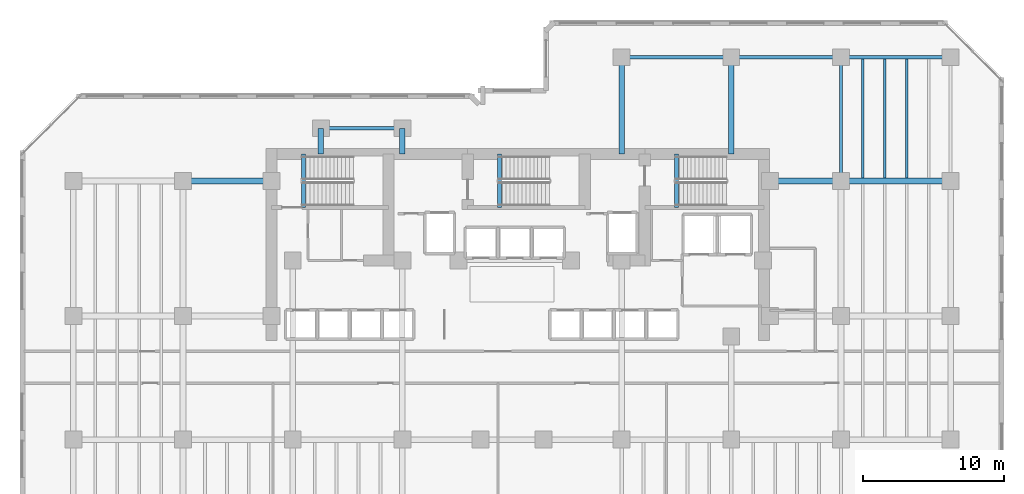
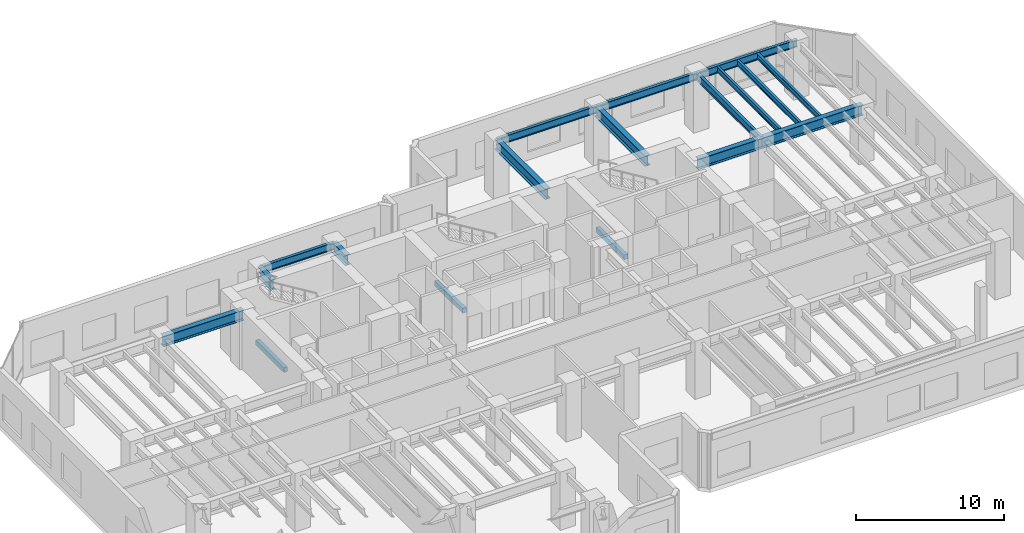
# One storey, part 5 of 17: 18 beams.
"""IFC4 building model written with IfcOpenShell, lengths in metres."""

from ifc_helpers import new_model, si_unit, direction, frame, origin, origin_2d, place, context, subcontext, project, spatial, rectangle, i_section, extrude, material, material_profile, profile_set, type_object, element, save


model = new_model("IFC4")

# Units and contexts
model_context = context("Model", 3, precision=1e-05, world=origin(), true_north=direction((0.0, 1.0)))
body_context = subcontext(model_context, "Body", "Model", "MODEL_VIEW")
ifc_project = project(units=[si_unit("LENGTHUNIT", "METRE"), si_unit("AREAUNIT", "SQUARE_METRE"), si_unit("VOLUMEUNIT", "CUBIC_METRE"), si_unit("PLANEANGLEUNIT", "RADIAN"), si_unit("MASSUNIT", "GRAM", prefix="KILO")], contexts=[model_context])

# Site, building, storey
site_placement = place(None, origin())
site = spatial("IfcSite", under=ifc_project, at=site_placement, CompositionType="ELEMENT")
building_placement = place(site_placement, origin())
building = spatial("IfcBuilding", under=site, at=building_placement, Name="Kestravale Grand Hotel", CompositionType="ELEMENT")
storey_placement = place(building_placement, frame((0.0, 0.0, 129.800048828125)))
storey = spatial("IfcBuildingStorey", under=building, at=storey_placement, Name="L32", CompositionType="ELEMENT", Elevation=129.800048828125)

# Beams
ifc_material_1 = material(Name="Steel ASTM A992 Grade 50", Category="steel")
ifc_material_profile_1 = material_profile(ifc_material_1, i_section(OverallWidth=0.19091796875, OverallDepth=0.45703125, WebThickness=0.009033203125, FlangeThickness=0.014404296875, FilletRadius=0.015380859375, at=origin_2d()))
ifc_profile_set_1 = profile_set([ifc_material_profile_1], Name="Steel ASTM A992 Grade 50")
beam_type_1 = type_object("IfcBeamType", Name="B-FLR-JST18", PredefinedType="JOIST", material=ifc_profile_set_1)
for number, where, z_axis, x_axis, name in (
    (1, (63.9599609375, 38.6005859375, 4.281494140625), (0.0, 1.0, 0.0), (-1.0, 0.0, 0.0), "L32 floor joist 10-11/F-G #1"),
    (2, (65.52001953125, 38.6005859375, 4.281494140625), (0.0, 1.0, 0.0), (-1.0, 0.0, 0.0), "L32 floor joist 10-11/F-G #2"),
    (3, (67.080078125, 38.6005859375, 4.281494140625), (0.0, 1.0, 0.0), (-1.0, 0.0, 0.0), "L32 floor joist 10-11/F-G #3"),
):
    element("IfcBeam", number, at=place(storey_placement, frame(where, z_axis=z_axis, x_axis=x_axis)), inside=storey, type_object=beam_type_1, Name=name, PredefinedType="JOIST", context=body_context, shape_type="SweptSolid", body=[
        extrude(i_section(OverallWidth=0.19091796875, OverallDepth=0.45703125, WebThickness=0.009033203125, FlangeThickness=0.014404296875, FilletRadius=0.015380859375, at=origin_2d()), origin(), (0.0, 0.0, 1.0), 8.48486328125),
    ])
ifc_material_2 = material(Name="Concrete f'c 45 MPa", Category="concrete")
ifc_material_profile_2 = material_profile(ifc_material_2, rectangle(XDim=0.300048828125, YDim=0.39990234375, at=origin_2d()))
ifc_profile_set_2 = profile_set([ifc_material_profile_2], Name="Concrete f'c 45 MPa")
beam_type_2 = type_object("IfcBeamType", Name="B-FLR-LNT400", PredefinedType="LINTEL", material=ifc_profile_set_2)
for number, where, z_axis, x_axis, name in (
    (4, (24.159912109375, 36.52001953125, -0.199951171875), (0.0, 1.0, 0.0), (-1.0, 0.0, 0.0), "L32 ST1 flight bottom header beam"),
    (5, (38.110107421875, 36.52001953125, -0.199951171875), (0.0, 1.0, 0.0), (-1.0, 0.0, 0.0), "L32 ST2 flight bottom header beam"),
    (6, (50.7099609375, 36.52001953125, -0.199951171875), (0.0, 1.0, 0.0), (-1.0, 0.0, 0.0), "L32 ST3 flight bottom header beam"),
):
    element("IfcBeam", number, at=place(storey_placement, frame(where, z_axis=z_axis, x_axis=x_axis)), inside=storey, type_object=beam_type_2, Name=name, PredefinedType="LINTEL", context=body_context, shape_type="SweptSolid", body=[
        extrude(rectangle(XDim=0.300048828125, YDim=0.39990234375, at=origin_2d()), origin(), (0.0, 0.0, 1.0), 3.800048828125),
    ])
ifc_material_3 = material(Name="Steel ASTM A992 Grade 50", Category="steel")
ifc_material_profile_3 = material_profile(ifc_material_3, i_section(OverallWidth=0.22900390625, OverallDepth=0.612060546875, WebThickness=0.011962890625, FlangeThickness=0.01953125, FilletRadius=0.019287109375, at=origin_2d()))
ifc_profile_set_3 = profile_set([ifc_material_profile_3], Name="Steel ASTM A992 Grade 50")
beam_type_3 = type_object("IfcBeamType", Name="B-FLR-W24B", PredefinedType="SPANDREL", material=ifc_profile_set_3)
beam_1_placement = place(storey_placement, frame((46.800048828125, 47.199951171875, 4.203857421875), z_axis=(1.0, 0.0, 0.0), x_axis=(0.0, 1.0, 0.0)))
element("IfcBeam", 7, at=beam_1_placement, inside=storey, type_object=beam_type_3, Name="L32 spandrel G:8-9", PredefinedType="SPANDREL", context=body_context, shape_type="SweptSolid", body=[
    extrude(i_section(OverallWidth=0.22900390625, OverallDepth=0.612060546875, WebThickness=0.011962890625, FlangeThickness=0.01953125, FilletRadius=0.019287109375, at=origin_2d()), origin(), (0.0, 0.0, 1.0), 7.800048828125),
])
beam_2_placement = place(storey_placement, frame((54.60009765625, 47.199951171875, 4.203857421875), z_axis=(1.0, 0.0, 0.0), x_axis=(0.0, 1.0, 0.0)))
element("IfcBeam", 8, at=beam_2_placement, inside=storey, type_object=beam_type_3, Name="L32 spandrel G:9-10", PredefinedType="SPANDREL", context=body_context, shape_type="SweptSolid", body=[
    extrude(i_section(OverallWidth=0.22900390625, OverallDepth=0.612060546875, WebThickness=0.011962890625, FlangeThickness=0.01953125, FilletRadius=0.019287109375, at=origin_2d()), origin(), (0.0, 0.0, 1.0), 7.7998046875),
])
beam_3_placement = place(storey_placement, frame((62.39990234375, 47.199951171875, 4.203857421875), z_axis=(1.0, 0.0, 0.0), x_axis=(0.0, 1.0, 0.0)))
element("IfcBeam", 9, at=beam_3_placement, inside=storey, type_object=beam_type_3, Name="L32 spandrel G:10-11", PredefinedType="SPANDREL", context=body_context, shape_type="SweptSolid", body=[
    extrude(i_section(OverallWidth=0.22900390625, OverallDepth=0.612060546875, WebThickness=0.011962890625, FlangeThickness=0.01953125, FilletRadius=0.019287109375, at=origin_2d()), origin(), (0.0, 0.0, 1.0), 7.800048828125),
])
beam_4_placement = place(storey_placement, frame((25.39990234375, 42.14990234375, 4.203857421875), z_axis=(1.0, 0.0, 0.0), x_axis=(0.0, 1.0, 0.0)))
element("IfcBeam", 10, at=beam_4_placement, inside=storey, type_object=beam_type_3, Name="L32 perimeter tie spandrel FN:4-5", PredefinedType="SPANDREL", context=body_context, shape_type="SweptSolid", body=[
    extrude(i_section(OverallWidth=0.22900390625, OverallDepth=0.612060546875, WebThickness=0.011962890625, FlangeThickness=0.01953125, FilletRadius=0.019287109375, at=origin_2d()), origin(), (0.0, 0.0, 1.0), 5.800048828125),
])
beam_5_placement = place(storey_placement, frame((62.39990234375, 38.39990234375, 4.203857421875), z_axis=(0.0, 1.0, 0.0), x_axis=(-1.0, 0.0, 0.0)))
element("IfcBeam", 11, at=beam_5_placement, inside=storey, type_object=beam_type_3, Name="L32 spandrel 10:F-G", PredefinedType="SPANDREL", context=body_context, shape_type="SweptSolid", body=[
    extrude(i_section(OverallWidth=0.22900390625, OverallDepth=0.612060546875, WebThickness=0.011962890625, FlangeThickness=0.01953125, FilletRadius=0.019287109375, at=origin_2d()), origin(), (0.0, 0.0, 1.0), 8.800048828125),
])
ifc_material_4 = material(Name="Steel ASTM A992 Grade 50", Category="steel")
ifc_material_profile_4 = material_profile(ifc_material_4, i_section(OverallWidth=0.40087890625, OverallDepth=0.861083984375, WebThickness=0.019775390625, FlangeThickness=0.032470703125, FilletRadius=0.0234375, at=origin_2d()))
ifc_profile_set_4 = profile_set([ifc_material_profile_4], Name="Steel ASTM A992 Grade 50")
beam_type_4 = type_object("IfcBeamType", Name="B-GRD-W33", PredefinedType="BEAM", material=ifc_profile_set_4)
beam_6_placement = place(storey_placement, frame((15.60009765625, 38.39990234375, 4.079345703125), z_axis=(1.0, 0.0, 0.0), x_axis=(0.0, 1.0, 0.0)))
element("IfcBeam", 12, at=beam_6_placement, inside=storey, type_object=beam_type_4, Name="L32 girder F:3-CW", PredefinedType="BEAM", context=body_context, shape_type="SweptSolid", body=[
    extrude(i_section(OverallWidth=0.40087890625, OverallDepth=0.861083984375, WebThickness=0.019775390625, FlangeThickness=0.032470703125, FilletRadius=0.0234375, at=origin_2d()), origin(), (0.0, 0.0, 1.0), 6.2998046875),
])
beam_7_placement = place(storey_placement, frame((57.35009765625, 38.39990234375, 4.079345703125), z_axis=(1.0, 0.0, 0.0), x_axis=(0.0, 1.0, 0.0)))
element("IfcBeam", 13, at=beam_7_placement, inside=storey, type_object=beam_type_4, Name="L32 girder F:CE-10", PredefinedType="BEAM", context=body_context, shape_type="SweptSolid", body=[
    extrude(i_section(OverallWidth=0.40087890625, OverallDepth=0.861083984375, WebThickness=0.019775390625, FlangeThickness=0.032470703125, FilletRadius=0.0234375, at=origin_2d()), origin(), (0.0, 0.0, 1.0), 5.0498046875),
])
beam_8_placement = place(storey_placement, frame((62.39990234375, 38.39990234375, 4.079345703125), z_axis=(1.0, 0.0, 0.0), x_axis=(0.0, 1.0, 0.0)))
element("IfcBeam", 14, at=beam_8_placement, inside=storey, type_object=beam_type_4, Name="L32 girder F:10-11", PredefinedType="BEAM", context=body_context, shape_type="SweptSolid", body=[
    extrude(i_section(OverallWidth=0.40087890625, OverallDepth=0.861083984375, WebThickness=0.019775390625, FlangeThickness=0.032470703125, FilletRadius=0.0234375, at=origin_2d()), origin(), (0.0, 0.0, 1.0), 7.800048828125),
])
for number, where, z_axis, x_axis, name in (
    (15, (25.39990234375, 40.320068359375, 4.079345703125), (0.0, 1.0, 0.0), (-1.0, 0.0, 0.0), "L32 north wing tie girder 4:CN-FN"),
    (16, (31.199951171875, 40.320068359375, 4.079345703125), (0.0, 1.0, 0.0), (-1.0, 0.0, 0.0), "L32 north wing tie girder 5:CN-FN"),
):
    element("IfcBeam", number, at=place(storey_placement, frame(where, z_axis=z_axis, x_axis=x_axis)), inside=storey, type_object=beam_type_4, Name=name, PredefinedType="BEAM", context=body_context, shape_type="SweptSolid", body=[
        extrude(i_section(OverallWidth=0.40087890625, OverallDepth=0.861083984375, WebThickness=0.019775390625, FlangeThickness=0.032470703125, FilletRadius=0.0234375, at=origin_2d()), origin(), (0.0, 0.0, 1.0), 1.829833984375),
    ])
for number, where, z_axis, x_axis, name in (
    (17, (46.800048828125, 40.320068359375, 4.079345703125), (0.0, 1.0, 0.0), (-1.0, 0.0, 0.0), "L32 north wing tie girder 8:CN-G"),
    (18, (54.60009765625, 40.320068359375, 4.079345703125), (0.0, 1.0, 0.0), (-1.0, 0.0, 0.0), "L32 north wing tie girder 9:CN-G"),
):
    element("IfcBeam", number, at=place(storey_placement, frame(where, z_axis=z_axis, x_axis=x_axis)), inside=storey, type_object=beam_type_4, Name=name, PredefinedType="BEAM", context=body_context, shape_type="SweptSolid", body=[
        extrude(i_section(OverallWidth=0.40087890625, OverallDepth=0.861083984375, WebThickness=0.019775390625, FlangeThickness=0.032470703125, FilletRadius=0.0234375, at=origin_2d()), origin(), (0.0, 0.0, 1.0), 6.8798828125),
    ])

save(model, "model.ifc")
